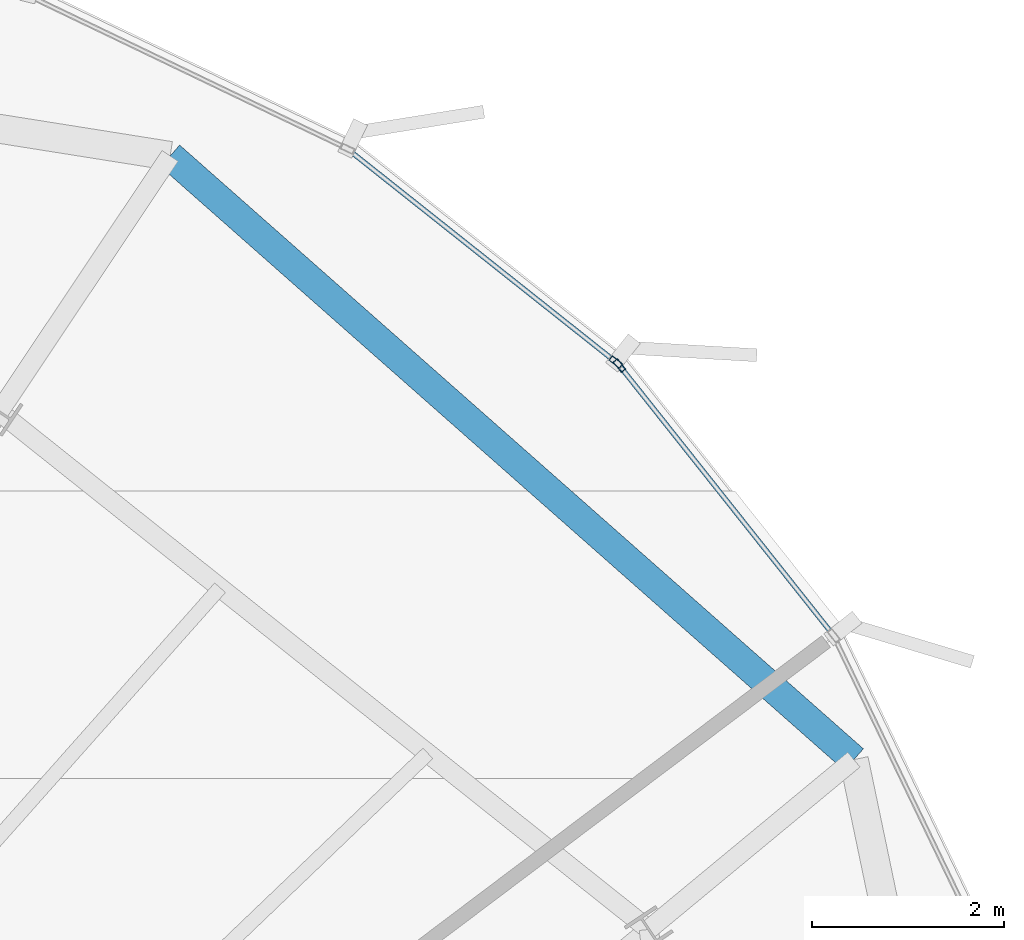
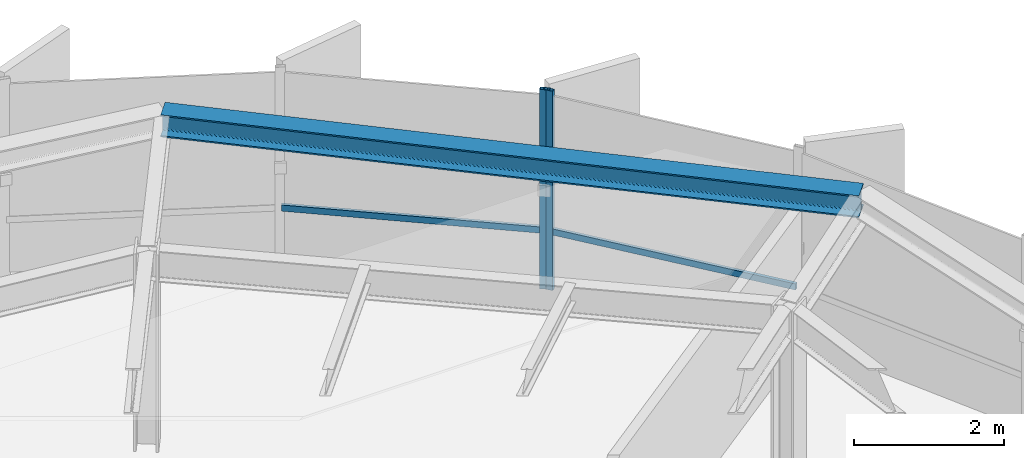
# One storey, part 27 of 34: 4 members, 1 beam, 2 elements without a shape of their own.
"""IFC4 building model written with IfcOpenShell, lengths in metres."""

import ifcopenshell
import ifcopenshell.guid

model = None  # the IFC model being written
_history = None  # IfcOwnerHistory: only IFC2X3 demands one
_inside = {}  # id of a spatial element -> (the spatial element, [elements in it])
_under = {}  # id of a project, library or spatial element -> (it, [spatial elements below it])
_declared = {}  # id of a project -> (the project, [libraries it declares])
_typed = {}  # id of a type object -> (the type object, [elements of that type])
_made_of = {}  # id of a material, layer set ... -> (it, [elements and type objects made of it])


def new_model(schema):
    """Start an empty IFC model of exactly this schema.

    Asked for "IFC4X3", IfcOpenShell would pick the latest addendum, in which some entities
    have other attributes; the version numbers below select the first issue.
    IFC2X3 requires an IfcOwnerHistory on every rooted entity: one is made here for all.
    """
    global model, _history
    if schema == "IFC4X3":
        model = ifcopenshell.file(schema_version=(4, 3, 0, 0))
    else:
        model = ifcopenshell.file(schema=schema)
    _inside.clear()
    _under.clear()
    _declared.clear()
    _typed.clear()
    _made_of.clear()
    _history = None
    if model.schema == "IFC2X3":
        org = make("IfcOrganization", Name="unknown")
        user = make(
            "IfcPersonAndOrganization",
            ThePerson=make("IfcPerson", FamilyName="unknown"),
            TheOrganization=org,
        )
        app = make(
            "IfcApplication",
            ApplicationDeveloper=org,
            Version="unknown",
            ApplicationFullName="unknown",
            ApplicationIdentifier="unknown",
        )
        _history = make(
            "IfcOwnerHistory",
            OwningUser=user,
            OwningApplication=app,
            ChangeAction="ADDED",
            CreationDate=0,
        )
    return model


def make(cls, **values):
    """One entity of the class cls with the attributes given. An attribute that is None is left unset."""
    return model.create_entity(
        cls, **{name: value for name, value in values.items() if value is not None}
    )


def rooted(cls, **values):
    """An entity with a GlobalId (a new one), such as an element, a storey or a relation."""
    return make(cls, GlobalId=ifcopenshell.guid.new(), OwnerHistory=_history, **values)


def si_unit(unit_type, name, prefix=None):
    """IfcSIUnit, for example si_unit("LENGTHUNIT", "METRE", prefix="MILLI")."""
    return make("IfcSIUnit", UnitType=unit_type, Prefix=prefix, Name=name)


def assignment(units):
    """IfcUnitAssignment: the units of a project."""
    return None if units is None else make("IfcUnitAssignment", Units=units)


def point(xyz):
    """IfcCartesianPoint."""
    return None if xyz is None else make("IfcCartesianPoint", Coordinates=xyz)


def direction(xyz):
    """IfcDirection."""
    return None if xyz is None else make("IfcDirection", DirectionRatios=xyz)


def frame(location, z_axis=None, x_axis=None):
    """IfcAxis2Placement3D, a coordinate frame: its origin and axes. An axis left out is left unset."""
    return make(
        "IfcAxis2Placement3D",
        Location=point(location),
        Axis=direction(z_axis),
        RefDirection=direction(x_axis),
    )


def frame_2d(location, x_axis=None):
    """IfcAxis2Placement2D, a coordinate frame in the plane: its origin and x axis."""
    return make(
        "IfcAxis2Placement2D", Location=point(location), RefDirection=direction(x_axis)
    )


def origin():
    """The frame at (0, 0, 0) with its axes left unset."""
    return frame((0.0, 0.0, 0.0))


def origin_2d():
    """The frame at (0, 0) in the plane with its x axis left unset."""
    return frame_2d((0.0, 0.0))


def place(relative_to, where):
    """IfcLocalPlacement: puts the frame where relative to a parent placement (None: the world)."""
    return make(
        "IfcLocalPlacement", PlacementRelTo=relative_to, RelativePlacement=where
    )


def context(
    kind, dimensions, precision=None, world=None, true_north=None, identifier=None
):
    """IfcGeometricRepresentationContext, for example the 3D "Model" context."""
    return make(
        "IfcGeometricRepresentationContext",
        ContextIdentifier=identifier,
        ContextType=kind,
        CoordinateSpaceDimension=dimensions,
        Precision=precision,
        WorldCoordinateSystem=world,
        TrueNorth=true_north,
    )


def subcontext(parent, identifier, kind, view, scale=None):
    """IfcGeometricRepresentationSubContext, for example "Body" below "Model"."""
    return make(
        "IfcGeometricRepresentationSubContext",
        ContextIdentifier=identifier,
        ContextType=kind,
        ParentContext=parent,
        TargetScale=scale,
        TargetView=view,
    )


def project(units=None, contexts=None):
    """IfcProject with its units and contexts."""
    return rooted(
        "IfcProject",
        Name="project",
        RepresentationContexts=contexts,
        UnitsInContext=assignment(units),
    )


def spatial(cls, under=None, at=None, **own):
    """A site, building, storey or space (cls), placed at a placement, below another one or the project."""
    s = rooted(cls, ObjectPlacement=at, **own)
    if under is not None:
        _under.setdefault(under.id(), (under, []))[1].append(s)
    return s


def profile(cls, at=None, kind="AREA", **sizes):
    """A parametric profile (cls). Its sizes go by their IFC names, for example OverallWidth=200.0."""
    return make(cls, ProfileType=kind, Position=at, **sizes)


def hollow_rectangle(**sizes):
    """IfcRectangleHollowProfileDef."""
    return profile("IfcRectangleHollowProfileDef", **sizes)


def i_section(**sizes):
    """IfcIShapeProfileDef."""
    return profile("IfcIShapeProfileDef", **sizes)


def extrude(swept, where, along, depth):
    """IfcExtrudedAreaSolid: the profile swept, set in the frame where, extruded along a direction by depth."""
    return make(
        "IfcExtrudedAreaSolid",
        SweptArea=swept,
        Position=where,
        ExtrudedDirection=direction(along),
        Depth=depth,
    )


def shape(context_of_items, identifier, shape_type, items):
    """IfcShapeRepresentation: the items that make up one representation, for example the "Body"."""
    return make(
        "IfcShapeRepresentation",
        ContextOfItems=context_of_items,
        RepresentationIdentifier=identifier,
        RepresentationType=shape_type,
        Items=items,
    )


def source(mapping_origin, context_of_items, identifier, shape_type, items):
    """IfcRepresentationMap: a shape defined once, which mapped items show again and again."""
    return make(
        "IfcRepresentationMap",
        MappingOrigin=mapping_origin,
        MappedRepresentation=shape(context_of_items, identifier, shape_type, items),
    )


def transform(
    local_origin,
    x_axis=None,
    y_axis=None,
    z_axis=None,
    scale=None,
    scale2=None,
    scale3=None,
    uniform=True,
):
    """IfcCartesianTransformationOperator3D, or its non-uniform kind. x_axis, y_axis, z_axis: its Axis1, 2, 3."""
    if uniform:
        return make(
            "IfcCartesianTransformationOperator3D",
            Axis1=direction(x_axis),
            Axis2=direction(y_axis),
            LocalOrigin=point(local_origin),
            Scale=scale,
            Axis3=direction(z_axis),
        )
    return make(
        "IfcCartesianTransformationOperator3DnonUniform",
        Axis1=direction(x_axis),
        Axis2=direction(y_axis),
        LocalOrigin=point(local_origin),
        Scale=scale,
        Axis3=direction(z_axis),
        Scale2=scale2,
        Scale3=scale3,
    )


def mapped(mapping_source, mapping_target):
    """IfcMappedItem: shows the shape of a source again, moved by a transform."""
    return make(
        "IfcMappedItem", MappingSource=mapping_source, MappingTarget=mapping_target
    )


def material(Name=None, Category=None):
    """IfcMaterial."""
    return make("IfcMaterial", Name=Name, Category=Category)


def layer(
    of_material, thickness, ventilated=None, Name=None, Category=None, Priority=None
):
    """IfcMaterialLayer: one layer of a wall or slab, of a material (None: an air gap)."""
    return make(
        "IfcMaterialLayer",
        Material=of_material,
        LayerThickness=thickness,
        IsVentilated=ventilated,
        Name=Name,
        Category=Category,
        Priority=Priority,
    )


def layer_set(layers, Name=None):
    """IfcMaterialLayerSet."""
    return make("IfcMaterialLayerSet", MaterialLayers=layers, LayerSetName=Name)


def material_profile(
    of_material, cross_section, Name=None, Category=None, Priority=None
):
    """IfcMaterialProfile: a cross section and its material."""
    return make(
        "IfcMaterialProfile",
        Name=Name,
        Material=of_material,
        Profile=cross_section,
        Priority=Priority,
        Category=Category,
    )


def profile_set(profiles, Name=None, composite=None):
    """IfcMaterialProfileSet."""
    return make(
        "IfcMaterialProfileSet",
        Name=Name,
        MaterialProfiles=profiles,
        CompositeProfile=composite,
    )


def made_of(thing, what):
    """Note that an element or type object is made of a material, layer set ...; save() writes the relation."""
    if what is not None:
        _made_of.setdefault(what.id(), (what, []))[1].append(thing)
    return thing


def type_object(cls, material=None, **own):
    """A type object (cls), such as IfcWallType, which elements share."""
    return made_of(rooted(cls, **own), material)


def element(
    cls,
    number,
    at=None,
    inside=None,
    cuts=None,
    type_object=None,
    material=None,
    context=None,
    identifier="Body",
    shape_type=None,
    held_by="IfcProductDefinitionShape",
    body=None,
    shapes=None,
    **own,
):
    """One element of the class cls, such as IfcWall. Its Tag is "e" and its number.

    at: its placement. inside: the storey or other place that contains it. cuts: it is an
    opening in that element (IfcRelVoidsElement). A single representation is given by context,
    identifier, shape_type and body (its items); several are given by shapes. held_by: the class
    of the entity that holds the representations. save() writes the other relations.
    """
    e = rooted(cls, Tag="e%d" % number, ObjectPlacement=at, **own)
    if body is not None:
        shapes = [shape(context, identifier, shape_type, body)]
    if shapes is not None:
        e.Representation = make(held_by, Representations=shapes)
    if inside is not None:
        _inside.setdefault(inside.id(), (inside, []))[1].append(e)
    if cuts is not None:
        rooted(
            "IfcRelVoidsElement", RelatingBuildingElement=cuts, RelatedOpeningElement=e
        )
    if type_object is not None:
        _typed.setdefault(type_object.id(), (type_object, []))[1].append(e)
    return made_of(e, material)


def aggregate(whole, parts):
    """IfcRelAggregates: a whole, such as a stair, and the parts it consists of."""
    return rooted("IfcRelAggregates", RelatingObject=whole, RelatedObjects=parts)


def save(model, path):
    """Write the relations noted so far, then the file.

    IfcRelAggregates (storeys below a building ...), IfcRelContainedInSpatialStructure (elements
    in a storey), IfcRelDefinesByType, IfcRelAssociatesMaterial and IfcRelDeclares: one each for
    every whole, place, type object, material and project.
    """
    for whole, parts in _under.values():
        aggregate(whole, parts)
    for where, things in _inside.values():
        rooted(
            "IfcRelContainedInSpatialStructure",
            RelatedElements=things,
            RelatingStructure=where,
        )
    for kind, things in _typed.values():
        rooted("IfcRelDefinesByType", RelatedObjects=things, RelatingType=kind)
    for what, things in _made_of.values():
        rooted("IfcRelAssociatesMaterial", RelatedObjects=things, RelatingMaterial=what)
    for by, libraries in _declared.values():
        rooted("IfcRelDeclares", RelatingContext=by, RelatedDefinitions=libraries)
    model.write(path)


model = new_model("IFC4")

# Units and contexts
model_context = context("Model", 3, precision=1e-05, world=origin(), true_north=direction((0.0, 1.0)))
body_context = subcontext(model_context, "Body", "Model", "MODEL_VIEW")
ifc_project = project(units=[si_unit("LENGTHUNIT", "METRE"), si_unit("AREAUNIT", "SQUARE_METRE"), si_unit("VOLUMEUNIT", "CUBIC_METRE"), si_unit("PLANEANGLEUNIT", "RADIAN"), si_unit("MASSUNIT", "GRAM", prefix="KILO"), si_unit("THERMODYNAMICTEMPERATUREUNIT", "KELVIN")], contexts=[model_context])

# Site, building, storey
site_placement = place(None, origin())
site = spatial("IfcSite", under=ifc_project, at=site_placement, CompositionType="ELEMENT")
building_placement = place(site_placement, origin())
building = spatial("IfcBuilding", under=site, at=building_placement, Name="Kethvar Cultural Tower", CompositionType="ELEMENT")
storey_placement = place(building_placement, frame((0.0, 0.0, 214.89990234375)))
storey = spatial("IfcBuildingStorey", under=building, at=storey_placement, Name="L56", CompositionType="ELEMENT", Elevation=214.89990234375)

# Beam
ifc_material_1 = material(Name="Steel S355J2", Category="steel")
ifc_material_profile_1 = material_profile(ifc_material_1, i_section(OverallWidth=0.300048828125, OverallDepth=0.360107421875, WebThickness=0.012451171875, FlangeThickness=0.0224609375, FilletRadius=0.027099609375, at=origin_2d()), Name="Steel S355J2 — HEB360")
ifc_profile_set_1 = profile_set([ifc_material_profile_1], Name="Steel S355J2 — HEB360")
beam_type = type_object("IfcBeamType", Name="BM-SP360", PredefinedType="SPANDREL", material=ifc_profile_set_1)
shared_shape_1 = source(origin(), body_context, "Body", "SweptSolid", [
    extrude(i_section(OverallWidth=0.300048828125, OverallDepth=0.360107421875, WebThickness=0.012451171875, FlangeThickness=0.0224609375, FilletRadius=0.027099609375, at=origin_2d()), origin(), (0.0, 0.0, 1.0), 9.48681640625),
])
beam_placement = place(storey_placement, frame((67.63720703125, 42.063232421875, 3.05810546875), z_axis=(-0.749610251174, 0.661879499105, 0.0), x_axis=(-0.661879499105, -0.749610251174, 0.0)))
element("IfcBeam", 1, at=beam_placement, inside=storey, type_object=beam_type, Name="L56 Perimeter Spandrel Beam SP-02", PredefinedType="SPANDREL", context=body_context, shape_type="MappedRepresentation", body=[
    mapped(shared_shape_1, transform((0.0, 0.0, 0.0), scale=1.0)),
])

# Curtain wall, member
ifc_material_2 = material(Name="Aluminium 6063-T6", Category="aluminium")
ifc_layer = layer(ifc_material_2, 0.179931640625, Name="Aluminium 6063-T6", Category="aluminium")
ifc_layer_set = layer_set([ifc_layer], Name="Aluminium 6063-T6 (180 mm)")
curtain_wall_type = type_object("IfcCurtainWallType", Name="CW-SYS-04-Z34", PredefinedType="NOTDEFINED", material=ifc_layer_set)
curtain_wall_1_placement = place(storey_placement, origin())
curtain_wall_1 = element("IfcCurtainWall", 2, at=curtain_wall_1_placement, inside=storey, type_object=curtain_wall_type, Name="L56 Curtain Wall Run 01", PredefinedType="NOTDEFINED")
ifc_material_profile_2 = material_profile(ifc_material_2, hollow_rectangle(XDim=0.06005859375, YDim=0.139892578125, WallThickness=0.0048828125, at=origin_2d()), Name="Aluminium 6063-T6 — RHS140x60x5")
ifc_profile_set_2 = profile_set([ifc_material_profile_2], Name="Aluminium 6063-T6 — RHS140x60x5")
member_type_1 = type_object("IfcMemberType", Name="CW-SYS-04-Z34-MUL", PredefinedType="MULLION", material=ifc_profile_set_2)
shared_shape_2 = source(origin(), body_context, "Body", "SweptSolid", [
    extrude(hollow_rectangle(XDim=0.06005859375, YDim=0.139892578125, WallThickness=0.0048828125, at=origin_2d()), origin(), (0.0, 0.0, 1.0), 3.239990234375),
])
member_1_placement = place(storey_placement, frame((65.16162109375, 46.198486328125, 0.0), z_axis=(0.0, 0.0, 1.0), x_axis=(-0.62165373788, -0.783292174211, 0.0)))
member_1 = element("IfcMember", 3, at=member_1_placement, type_object=member_type_1, Name="CW-L56-R01 Mullion 1", PredefinedType="MULLION", context=body_context, shape_type="MappedRepresentation", body=[
    mapped(shared_shape_2, transform((0.0, 0.0, 0.0), scale=1.0)),
])

curtain_wall_2_placement = place(storey_placement, origin())
curtain_wall_2 = element("IfcCurtainWall", 4, at=curtain_wall_2_placement, inside=storey, type_object=curtain_wall_type, Name="L56 Curtain Wall Run 06", PredefinedType="NOTDEFINED")
member_2_placement = place(storey_placement, frame((65.198486328125, 46.16162109375, 0.0), z_axis=(0.0, 0.0, 1.0), x_axis=(-0.783292174211, -0.62165373788, 0.0)))
member_2 = element("IfcMember", 5, at=member_2_placement, type_object=member_type_1, Name="CW-L56-R06 Mullion 7", PredefinedType="MULLION", context=body_context, shape_type="MappedRepresentation", body=[
    mapped(shared_shape_2, transform((0.0, 0.0, 0.0), scale=1.0)),
])

# Member
ifc_material_profile_3 = material_profile(ifc_material_2, hollow_rectangle(XDim=0.050048828125, YDim=0.10009765625, WallThickness=0.00390625, at=origin_2d()), Name="Aluminium 6063-T6 — RHS100x50x4")
ifc_profile_set_3 = profile_set([ifc_material_profile_3], Name="Aluminium 6063-T6 — RHS100x50x4")
member_type_2 = type_object("IfcMemberType", Name="CW-SYS-04-Z34-TRN", PredefinedType="USERDEFINED", material=ifc_profile_set_3)
shared_shape_3 = source(origin(), body_context, "Body", "SweptSolid", [
    extrude(hollow_rectangle(XDim=0.050048828125, YDim=0.10009765625, WallThickness=0.00390625, at=origin_2d()), origin(), (0.0, 0.0, 1.0), 3.539794921875),
])
member_3_placement = place(storey_placement, frame((65.158203125, 46.201171875, 0.9501953125), z_axis=(-0.783271844614, 0.621679352589, 0.0), x_axis=(-0.621679352589, -0.783271844614, 0.0)))
member_3 = element("IfcMember", 6, at=member_3_placement, type_object=member_type_2, Name="CW-L56-R01 Transom 1", ObjectType="TRANSOM", PredefinedType="USERDEFINED", context=body_context, shape_type="MappedRepresentation", body=[
    mapped(shared_shape_3, transform((0.0, 0.0, 0.0), scale=1.0)),
])

aggregate(curtain_wall_1, [member_1, member_3])

member_4_placement = place(storey_placement, frame((67.40185546875, 43.385498046875, 0.9501953125), z_axis=(-0.621679352589, 0.783271844614, 0.0), x_axis=(-0.783271844614, -0.621679352589, 0.0)))
member_4 = element("IfcMember", 7, at=member_4_placement, type_object=member_type_2, Name="CW-L56-R06 Transom 6", ObjectType="TRANSOM", PredefinedType="USERDEFINED", context=body_context, shape_type="MappedRepresentation", body=[
    mapped(shared_shape_3, transform((0.0, 0.0, 0.0), scale=1.0)),
])

aggregate(curtain_wall_2, [member_2, member_4])

save(model, "model.ifc")
